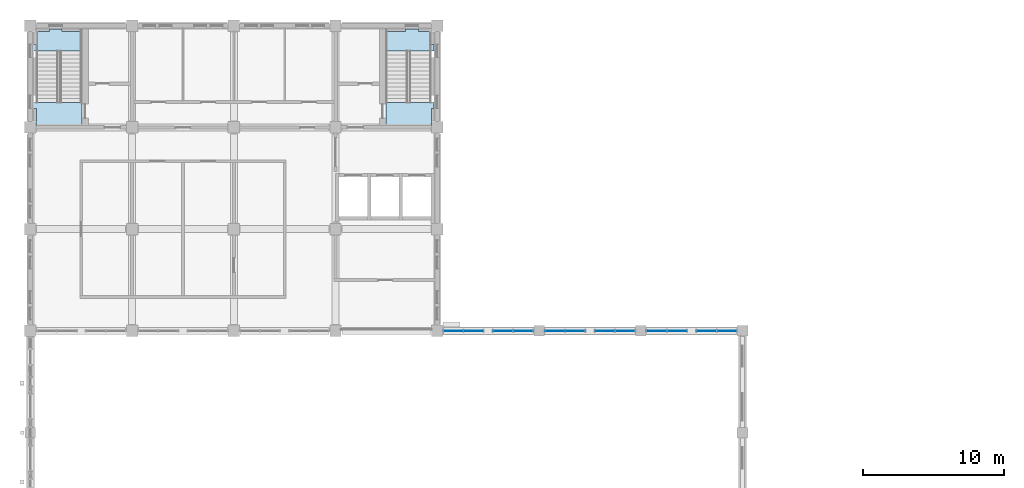
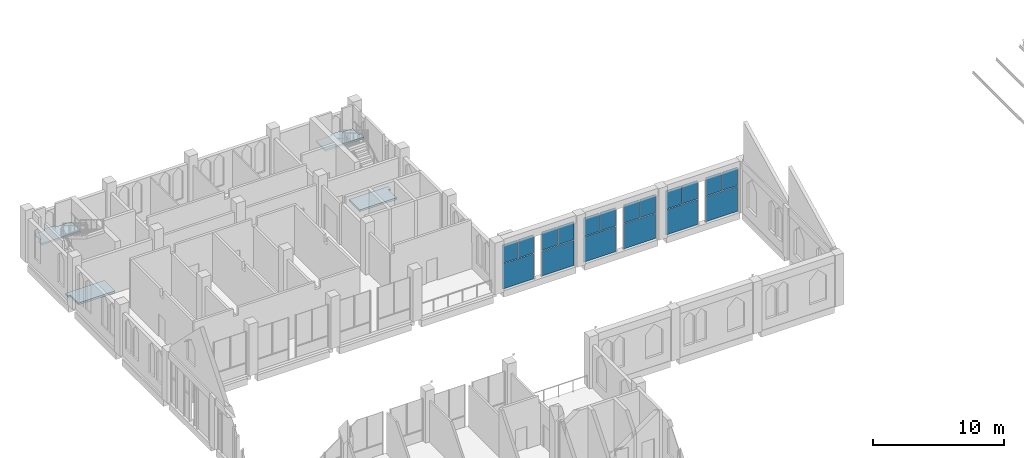
# One storey, part 17 of 31: 18 plates, 4 slabs, 8 elements without a shape of their own.
"""IFC4 building model written with IfcOpenShell, lengths in metres."""

from ifc_helpers import new_model, si_unit, direction, frame, origin, origin_2d, place, context, subcontext, project, spatial, polyline, rectangle, outline, extrude, material, layer, layer_set, type_object, element, aggregate, save


model = new_model("IFC4")

# Units and contexts
model_context = context("Model", 3, precision=1e-05, world=origin(), true_north=direction((0.0, 1.0)))
body_context = subcontext(model_context, "Body", "Model", "MODEL_VIEW")
ifc_project = project(units=[si_unit("LENGTHUNIT", "METRE"), si_unit("AREAUNIT", "SQUARE_METRE"), si_unit("VOLUMEUNIT", "CUBIC_METRE"), si_unit("PLANEANGLEUNIT", "RADIAN"), si_unit("MASSUNIT", "GRAM", prefix="KILO")], contexts=[model_context])

# Site, building, storey
site_placement = place(None, origin())
site = spatial("IfcSite", under=ifc_project, at=site_placement, CompositionType="ELEMENT")
building_placement = place(site_placement, origin())
building = spatial("IfcBuilding", under=site, at=building_placement, Name="Silangan Lancet Faculty of Sciences", CompositionType="ELEMENT")
storey_placement = place(building_placement, frame((0.0, 0.0, 36.0)))
storey = spatial("IfcBuildingStorey", under=building, at=storey_placement, Name="L07", CompositionType="ELEMENT", Elevation=36.0)

# Curtain wall, plates
ifc_material_1 = material(Name="Aluminium framed curtain wall with insulated glass", Category="aluminium")
curtain_wall_type = type_object("IfcCurtainWallType", Name="CW5 Nave north light glazing", PredefinedType="NOTDEFINED", material=ifc_material_1)
curtain_wall_1_placement = place(storey_placement, origin())
curtain_wall_1 = element("IfcCurtainWall", 1, at=curtain_wall_1_placement, inside=storey, type_object=curtain_wall_type, Name="CW5 Nave north lights L07 bay 1", PredefinedType="NOTDEFINED")
ifc_material_2 = material(Name="Insulated glass unit 8+16+8 low-emissivity", Category="glass")
ifc_layer_1 = layer(ifc_material_2, 0.031982421875)
ifc_layer_set_1 = layer_set([ifc_layer_1], Name="Insulated glass unit 8+16+8 low-emissivity")
plate_type = type_object("IfcPlateType", Name="CP1 Panel vision glass 32", PredefinedType="CURTAIN_PANEL", material=ifc_layer_set_1)
plate_1_placement = place(storey_placement, frame((48.5625, 36.0, 0.0), z_axis=(0.0, 0.0, 1.0), x_axis=(-1.0, 0.0, 0.0)))
plate_1 = element("IfcPlate", 2, at=plate_1_placement, type_object=plate_type, Name="CW5 Nave north lights L07 bay 1 panel 1", PredefinedType="CURTAIN_PANEL", context=body_context, shape_type="SweptSolid", body=[
    extrude(rectangle(XDim=2.804931640625, YDim=0.031982421875, at=origin_2d()), origin(), (0.0, 0.0, 1.0), 2.340087890625),
])
plate_2_placement = place(storey_placement, frame((49.27880859375, 36.0, 2.39990234375), z_axis=(0.0, 0.0, 1.0), x_axis=(-1.0, 0.0, 0.0)))
plate_2 = element("IfcPlate", 3, at=plate_2_placement, type_object=plate_type, Name="CW5 Nave north lights L07 bay 1 panel 2", PredefinedType="CURTAIN_PANEL", context=body_context, shape_type="SweptSolid", body=[
    extrude(rectangle(XDim=1.37255859375, YDim=0.031982421875, at=origin_2d()), origin(), (0.0, 0.0, 1.0), 1.699951171875),
])
plate_3_placement = place(storey_placement, frame((47.84619140625, 36.0, 2.39990234375), z_axis=(0.0, 0.0, 1.0), x_axis=(-1.0, 0.0, 0.0)))
plate_3 = element("IfcPlate", 4, at=plate_3_placement, type_object=plate_type, Name="CW5 Nave north lights L07 bay 1 panel 3", PredefinedType="CURTAIN_PANEL", context=body_context, shape_type="SweptSolid", body=[
    extrude(rectangle(XDim=1.37255859375, YDim=0.031982421875, at=origin_2d()), origin(), (0.0, 0.0, 1.0), 1.699951171875),
])
aggregate(curtain_wall_1, [plate_1, plate_2, plate_3])

curtain_wall_2_placement = place(storey_placement, origin())
curtain_wall_2 = element("IfcCurtainWall", 5, at=curtain_wall_2_placement, inside=storey, type_object=curtain_wall_type, Name="CW5 Nave north lights L07 bay 2", PredefinedType="NOTDEFINED")
plate_4_placement = place(storey_placement, frame((45.03759765625, 36.0, 0.0), z_axis=(0.0, 0.0, 1.0), x_axis=(-1.0, 0.0, 0.0)))
plate_4 = element("IfcPlate", 6, at=plate_4_placement, type_object=plate_type, Name="CW5 Nave north lights L07 bay 2 panel 1", PredefinedType="CURTAIN_PANEL", context=body_context, shape_type="SweptSolid", body=[
    extrude(rectangle(XDim=2.804931640625, YDim=0.031982421875, at=origin_2d()), origin(), (0.0, 0.0, 1.0), 2.340087890625),
])
plate_5_placement = place(storey_placement, frame((45.753662109375, 36.0, 2.39990234375), z_axis=(0.0, 0.0, 1.0), x_axis=(-1.0, 0.0, 0.0)))
plate_5 = element("IfcPlate", 7, at=plate_5_placement, type_object=plate_type, Name="CW5 Nave north lights L07 bay 2 panel 2", PredefinedType="CURTAIN_PANEL", context=body_context, shape_type="SweptSolid", body=[
    extrude(rectangle(XDim=1.37255859375, YDim=0.031982421875, at=origin_2d()), origin(), (0.0, 0.0, 1.0), 1.699951171875),
])
plate_6_placement = place(storey_placement, frame((44.3212890625, 36.0, 2.39990234375), z_axis=(0.0, 0.0, 1.0), x_axis=(-1.0, 0.0, 0.0)))
plate_6 = element("IfcPlate", 8, at=plate_6_placement, type_object=plate_type, Name="CW5 Nave north lights L07 bay 2 panel 3", PredefinedType="CURTAIN_PANEL", context=body_context, shape_type="SweptSolid", body=[
    extrude(rectangle(XDim=1.37255859375, YDim=0.031982421875, at=origin_2d()), origin(), (0.0, 0.0, 1.0), 1.699951171875),
])
aggregate(curtain_wall_2, [plate_4, plate_5, plate_6])

curtain_wall_3_placement = place(storey_placement, origin())
curtain_wall_3 = element("IfcCurtainWall", 9, at=curtain_wall_3_placement, inside=storey, type_object=curtain_wall_type, Name="CW5 Nave north lights L07 bay 3", PredefinedType="NOTDEFINED")
plate_7_placement = place(storey_placement, frame((41.362548828125, 36.0, 0.0), z_axis=(0.0, 0.0, 1.0), x_axis=(-1.0, 0.0, 0.0)))
plate_7 = element("IfcPlate", 10, at=plate_7_placement, type_object=plate_type, Name="CW5 Nave north lights L07 bay 3 panel 1", PredefinedType="CURTAIN_PANEL", context=body_context, shape_type="SweptSolid", body=[
    extrude(rectangle(XDim=2.804931640625, YDim=0.031982421875, at=origin_2d()), origin(), (0.0, 0.0, 1.0), 2.340087890625),
])
plate_8_placement = place(storey_placement, frame((42.078857421875, 36.0, 2.39990234375), z_axis=(0.0, 0.0, 1.0), x_axis=(-1.0, 0.0, 0.0)))
plate_8 = element("IfcPlate", 11, at=plate_8_placement, type_object=plate_type, Name="CW5 Nave north lights L07 bay 3 panel 2", PredefinedType="CURTAIN_PANEL", context=body_context, shape_type="SweptSolid", body=[
    extrude(rectangle(XDim=1.37255859375, YDim=0.031982421875, at=origin_2d()), origin(), (0.0, 0.0, 1.0), 1.699951171875),
])
plate_9_placement = place(storey_placement, frame((40.646240234375, 36.0, 2.39990234375), z_axis=(0.0, 0.0, 1.0), x_axis=(-1.0, 0.0, 0.0)))
plate_9 = element("IfcPlate", 12, at=plate_9_placement, type_object=plate_type, Name="CW5 Nave north lights L07 bay 3 panel 3", PredefinedType="CURTAIN_PANEL", context=body_context, shape_type="SweptSolid", body=[
    extrude(rectangle(XDim=1.37255859375, YDim=0.031982421875, at=origin_2d()), origin(), (0.0, 0.0, 1.0), 1.699951171875),
])
aggregate(curtain_wall_3, [plate_7, plate_8, plate_9])

curtain_wall_4_placement = place(storey_placement, origin())
curtain_wall_4 = element("IfcCurtainWall", 13, at=curtain_wall_4_placement, inside=storey, type_object=curtain_wall_type, Name="CW5 Nave north lights L07 bay 4", PredefinedType="NOTDEFINED")
plate_10_placement = place(storey_placement, frame((37.837646484375, 36.0, 0.0), z_axis=(0.0, 0.0, 1.0), x_axis=(-1.0, 0.0, 0.0)))
plate_10 = element("IfcPlate", 14, at=plate_10_placement, type_object=plate_type, Name="CW5 Nave north lights L07 bay 4 panel 1", PredefinedType="CURTAIN_PANEL", context=body_context, shape_type="SweptSolid", body=[
    extrude(rectangle(XDim=2.80517578125, YDim=0.031982421875, at=origin_2d()), origin(), (0.0, 0.0, 1.0), 2.340087890625),
])
plate_11_placement = place(storey_placement, frame((38.5537109375, 36.0, 2.39990234375), z_axis=(0.0, 0.0, 1.0), x_axis=(-1.0, 0.0, 0.0)))
plate_11 = element("IfcPlate", 15, at=plate_11_placement, type_object=plate_type, Name="CW5 Nave north lights L07 bay 4 panel 2", PredefinedType="CURTAIN_PANEL", context=body_context, shape_type="SweptSolid", body=[
    extrude(rectangle(XDim=1.37255859375, YDim=0.031982421875, at=origin_2d()), origin(), (0.0, 0.0, 1.0), 1.699951171875),
])
plate_12_placement = place(storey_placement, frame((37.121337890625, 36.0, 2.39990234375), z_axis=(0.0, 0.0, 1.0), x_axis=(-1.0, 0.0, 0.0)))
plate_12 = element("IfcPlate", 16, at=plate_12_placement, type_object=plate_type, Name="CW5 Nave north lights L07 bay 4 panel 3", PredefinedType="CURTAIN_PANEL", context=body_context, shape_type="SweptSolid", body=[
    extrude(rectangle(XDim=1.37255859375, YDim=0.031982421875, at=origin_2d()), origin(), (0.0, 0.0, 1.0), 1.699951171875),
])
aggregate(curtain_wall_4, [plate_10, plate_11, plate_12])

curtain_wall_5_placement = place(storey_placement, origin())
curtain_wall_5 = element("IfcCurtainWall", 17, at=curtain_wall_5_placement, inside=storey, type_object=curtain_wall_type, Name="CW5 Nave north lights L07 bay 5", PredefinedType="NOTDEFINED")
plate_13_placement = place(storey_placement, frame((34.162353515625, 36.0, 0.0), z_axis=(0.0, 0.0, 1.0), x_axis=(-1.0, 0.0, 0.0)))
plate_13 = element("IfcPlate", 18, at=plate_13_placement, type_object=plate_type, Name="CW5 Nave north lights L07 bay 5 panel 1", PredefinedType="CURTAIN_PANEL", context=body_context, shape_type="SweptSolid", body=[
    extrude(rectangle(XDim=2.80517578125, YDim=0.031982421875, at=origin_2d()), origin(), (0.0, 0.0, 1.0), 2.340087890625),
])
plate_14_placement = place(storey_placement, frame((34.878662109375, 36.0, 2.39990234375), z_axis=(0.0, 0.0, 1.0), x_axis=(-1.0, 0.0, 0.0)))
plate_14 = element("IfcPlate", 19, at=plate_14_placement, type_object=plate_type, Name="CW5 Nave north lights L07 bay 5 panel 2", PredefinedType="CURTAIN_PANEL", context=body_context, shape_type="SweptSolid", body=[
    extrude(rectangle(XDim=1.37255859375, YDim=0.031982421875, at=origin_2d()), origin(), (0.0, 0.0, 1.0), 1.699951171875),
])
plate_15_placement = place(storey_placement, frame((33.4462890625, 36.0, 2.39990234375), z_axis=(0.0, 0.0, 1.0), x_axis=(-1.0, 0.0, 0.0)))
plate_15 = element("IfcPlate", 20, at=plate_15_placement, type_object=plate_type, Name="CW5 Nave north lights L07 bay 5 panel 3", PredefinedType="CURTAIN_PANEL", context=body_context, shape_type="SweptSolid", body=[
    extrude(rectangle(XDim=1.37255859375, YDim=0.031982421875, at=origin_2d()), origin(), (0.0, 0.0, 1.0), 1.699951171875),
])
aggregate(curtain_wall_5, [plate_13, plate_14, plate_15])

curtain_wall_6_placement = place(storey_placement, origin())
curtain_wall_6 = element("IfcCurtainWall", 21, at=curtain_wall_6_placement, inside=storey, type_object=curtain_wall_type, Name="CW5 Nave north lights L07 bay 6", PredefinedType="NOTDEFINED")
plate_16_placement = place(storey_placement, frame((30.64990234375, 36.0, 0.0), z_axis=(0.0, 0.0, 1.0), x_axis=(-1.0, 0.0, 0.0)))
plate_16 = element("IfcPlate", 22, at=plate_16_placement, type_object=plate_type, Name="CW5 Nave north lights L07 bay 6 panel 1", PredefinedType="CURTAIN_PANEL", context=body_context, shape_type="SweptSolid", body=[
    extrude(rectangle(XDim=2.77978515625, YDim=0.031982421875, at=origin_2d()), origin(), (0.0, 0.0, 1.0), 2.340087890625),
])
plate_17_placement = place(storey_placement, frame((31.35986328125, 36.0, 2.39990234375), z_axis=(0.0, 0.0, 1.0), x_axis=(-1.0, 0.0, 0.0)))
plate_17 = element("IfcPlate", 23, at=plate_17_placement, type_object=plate_type, Name="CW5 Nave north lights L07 bay 6 panel 2", PredefinedType="CURTAIN_PANEL", context=body_context, shape_type="SweptSolid", body=[
    extrude(rectangle(XDim=1.35986328125, YDim=0.031982421875, at=origin_2d()), origin(), (0.0, 0.0, 1.0), 1.699951171875),
])
plate_18_placement = place(storey_placement, frame((29.93994140625, 36.0, 2.39990234375), z_axis=(0.0, 0.0, 1.0), x_axis=(-1.0, 0.0, 0.0)))
plate_18 = element("IfcPlate", 24, at=plate_18_placement, type_object=plate_type, Name="CW5 Nave north lights L07 bay 6 panel 3", PredefinedType="CURTAIN_PANEL", context=body_context, shape_type="SweptSolid", body=[
    extrude(rectangle(XDim=1.35986328125, YDim=0.031982421875, at=origin_2d()), origin(), (0.0, 0.0, 1.0), 1.699951171875),
])
aggregate(curtain_wall_6, [plate_16, plate_17, plate_18])

# Stair, slabs
ifc_material_3 = material(Name="Concrete C40/50", Category="concrete")
stair_type = type_object("IfcStairType", Name="TURRET STAIR 1550 TWO-FLIGHT", PredefinedType="HALF_TURN_STAIR", material=ifc_material_3)
stair_1_placement = place(storey_placement, origin())
stair_1 = element("IfcStair", 25, at=stair_1_placement, inside=storey, type_object=stair_type, Name="NT-A stair L07", PredefinedType="HALF_TURN_STAIR")
ifc_material_4 = material(Name="Concrete C40/50", Category="concrete")
ifc_layer_2 = layer(ifc_material_4, 0.179931640625)
ifc_layer_set_2 = layer_set([ifc_layer_2], Name="Concrete C40/50")
slab_type = type_object("IfcSlabType", Name="TURRET STAIR LANDING RC 180", PredefinedType="LANDING", material=ifc_layer_set_2)
slab_1_placement = place(storey_placement, frame((0.0, 0.0, -0.179931640625)))
slab_1 = element("IfcSlab", 26, at=slab_1_placement, type_object=slab_type, Name="STR3 landing 1", PredefinedType="LANDING", context=body_context, shape_type="SweptSolid", body=[
    extrude(outline(polyline([(0.39990234375, 50.85009765625), (0.425048828125, 50.85009765625), (0.425048828125, 51.75), (0.22509765625, 51.75), (0.22509765625, 52.14990234375), (3.64990234375, 52.14990234375), (3.64990234375, 50.52490234375), (0.39990234375, 50.52490234375), (0.39990234375, 50.85009765625)])), origin(), (0.0, 0.0, 1.0), 0.179931640625),
])
slab_2_placement = place(storey_placement, frame((0.0, 0.0, 2.219970703125)))
slab_2 = element("IfcSlab", 27, at=slab_2_placement, type_object=slab_type, Name="STR3 landing 2", PredefinedType="LANDING", context=body_context, shape_type="SweptSolid", body=[
    extrude(outline(polyline([(0.425048828125, 57.175048828125), (1.35009765625, 57.175048828125), (1.35009765625, 57.375), (2.25, 57.375), (2.25, 57.175048828125), (3.64990234375, 57.175048828125), (3.64990234375, 55.7900390625), (0.22509765625, 55.7900390625), (0.22509765625, 56.25), (0.425048828125, 56.25), (0.425048828125, 57.175048828125)])), origin(), (0.0, 0.0, 1.0), 0.179931640625),
])
aggregate(stair_1, [slab_1, slab_2])

stair_2_placement = place(storey_placement, origin())
stair_2 = element("IfcStair", 28, at=stair_2_placement, inside=storey, type_object=stair_type, Name="NT-B stair L07", PredefinedType="HALF_TURN_STAIR")
slab_3_placement = place(storey_placement, frame((0.0, 0.0, -0.179931640625)))
slab_3 = element("IfcSlab", 29, at=slab_3_placement, type_object=slab_type, Name="STR4 landing 1", PredefinedType="LANDING", context=body_context, shape_type="SweptSolid", body=[
    extrude(outline(polyline([(28.375, 50.85009765625), (28.39990234375, 50.85009765625), (28.39990234375, 50.52490234375), (25.14990234375, 50.52490234375), (25.14990234375, 52.14990234375), (28.574951171875, 52.14990234375), (28.574951171875, 51.75), (28.375, 51.75), (28.375, 50.85009765625)])), origin(), (0.0, 0.0, 1.0), 0.179931640625),
])
slab_4_placement = place(storey_placement, frame((0.0, 0.0, 2.219970703125)))
slab_4 = element("IfcSlab", 30, at=slab_4_placement, type_object=slab_type, Name="STR4 landing 2", PredefinedType="LANDING", context=body_context, shape_type="SweptSolid", body=[
    extrude(outline(polyline([(28.375, 57.175048828125), (28.375, 56.25), (28.574951171875, 56.25), (28.574951171875, 55.7900390625), (25.14990234375, 55.7900390625), (25.14990234375, 57.175048828125), (26.550048828125, 57.175048828125), (26.550048828125, 57.375), (27.449951171875, 57.375), (27.449951171875, 57.175048828125), (28.375, 57.175048828125)])), origin(), (0.0, 0.0, 1.0), 0.179931640625),
])
aggregate(stair_2, [slab_3, slab_4])

save(model, "model.ifc")
